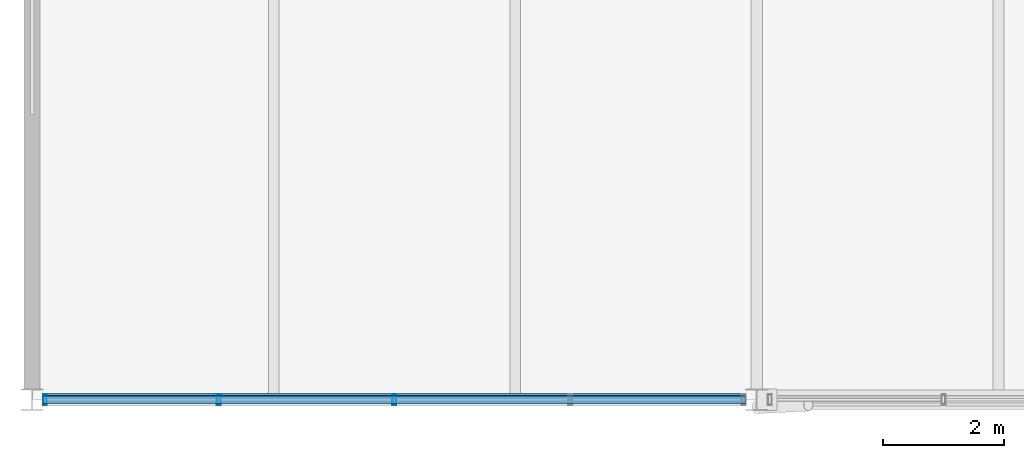
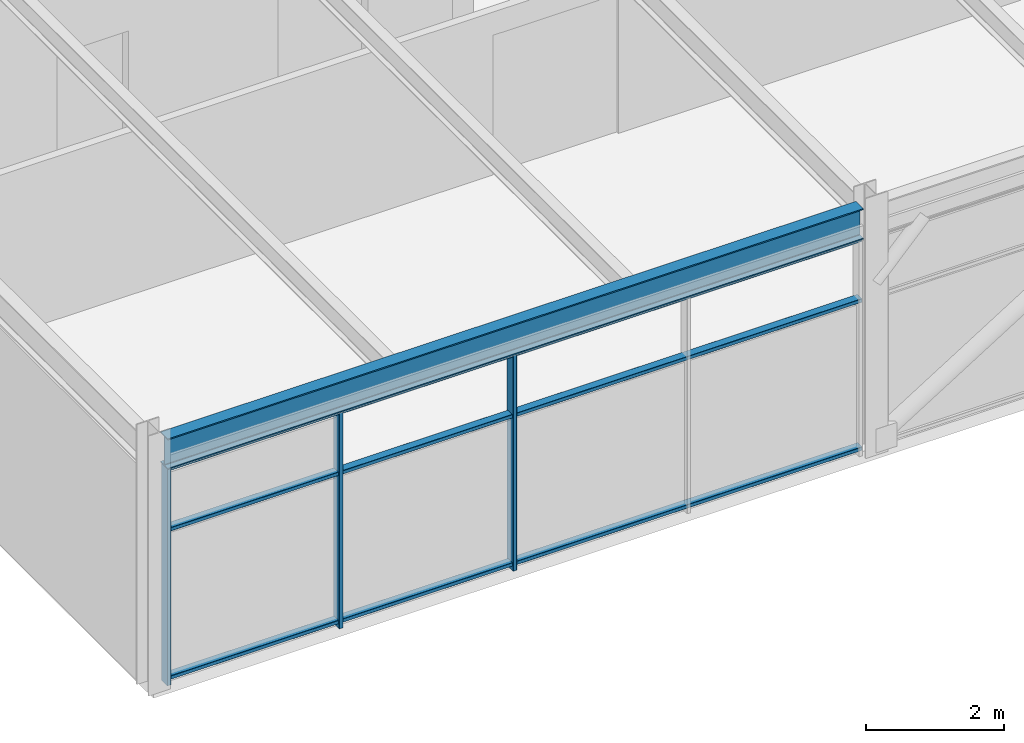
# One storey, part 3 of 28: 6 members, 1 beam, 1 element without a shape of its own.
"""IFC4 building model written with IfcOpenShell, lengths in metres."""

from ifc_helpers import new_model, si_unit, direction, frame, origin, origin_2d, place, context, subcontext, project, spatial, hollow_rectangle, i_section, extrude, material, material_profile, profile_set, type_object, element, aggregate, save


model = new_model("IFC4")

# Units and contexts
model_context = context("Model", 3, precision=1e-05, world=origin(), true_north=direction((0.0, 1.0)))
body_context = subcontext(model_context, "Body", "Model", "MODEL_VIEW")
ifc_project = project(units=[si_unit("LENGTHUNIT", "METRE"), si_unit("AREAUNIT", "SQUARE_METRE"), si_unit("VOLUMEUNIT", "CUBIC_METRE"), si_unit("PLANEANGLEUNIT", "RADIAN"), si_unit("MASSUNIT", "GRAM", prefix="KILO")], contexts=[model_context])

# Site, building, storey
site_placement = place(None, origin())
site = spatial("IfcSite", under=ifc_project, at=site_placement, CompositionType="ELEMENT")
building_placement = place(site_placement, origin())
building = spatial("IfcBuilding", under=site, at=building_placement, Name="Girod Span Mobility Hub", CompositionType="ELEMENT")
storey_placement = place(building_placement, frame((0.0, 0.0, 69.60009765625)))
storey = spatial("IfcBuildingStorey", under=building, at=storey_placement, Name="L17", CompositionType="ELEMENT", Elevation=69.60009765625)

# Beam
ifc_material_1 = material(Name="Steel A992 Grade 50", Category="steel")
ifc_material_profile_1 = material_profile(ifc_material_1, i_section(OverallWidth=0.2119140625, OverallDepth=0.5439453125, WebThickness=0.01318359375, FlangeThickness=0.021240234375, FilletRadius=0.014892578125, at=origin_2d()), Name="W21X83")
ifc_profile_set_1 = profile_set([ifc_material_profile_1], Name="Steel A992 Grade 50")
beam_type = type_object("IfcBeamType", Name="BM-STL-W21X83", PredefinedType="SPANDREL", material=ifc_profile_set_1)
beam_placement = place(storey_placement, frame((48.181396484375, 45.0, 4.10791015625), z_axis=(1.0, 0.0, 0.0), x_axis=(0.0, 1.0, 0.0)))
element("IfcBeam", 1, at=beam_placement, inside=storey, type_object=beam_type, Name="Girder 5-6/D L17", PredefinedType="SPANDREL", context=body_context, shape_type="SweptSolid", body=[
    extrude(i_section(OverallWidth=0.2119140625, OverallDepth=0.5439453125, WebThickness=0.01318359375, FlangeThickness=0.021240234375, FilletRadius=0.014892578125, at=origin_2d()), origin(), (0.0, 0.0, 1.0), 11.63720703125),
])

# Curtain wall, members
ifc_material_2 = material(Name="Thermally Broken Anodised Aluminium", Category="aluminium")
curtain_wall_type = type_object("IfcCurtainWallType", Name="CW-1164X384", PredefinedType="USERDEFINED", material=ifc_material_2)
curtain_wall_placement = place(storey_placement, origin())
curtain_wall = element("IfcCurtainWall", 2, at=curtain_wall_placement, inside=storey, type_object=curtain_wall_type, Name="Unitised Curtain Wall CW-L17-S05 L17", ObjectType="UNITISED CURTAIN WALL", PredefinedType="USERDEFINED")
ifc_material_3 = material(Name="Thermally Broken Anodised Aluminium", Category="aluminium")
ifc_material_profile_2 = material_profile(ifc_material_3, hollow_rectangle(XDim=0.179931640625, YDim=0.06494140625, WallThickness=0.00390625, InnerFilletRadius=0.00390625, OuterFilletRadius=0.008056640625, at=origin_2d()), Name="CW-ML-65X180")
ifc_profile_set_2 = profile_set([ifc_material_profile_2], Name="Thermally Broken Anodised Aluminium")
member_type_1 = type_object("IfcMemberType", Name="CWM-ML-2", PredefinedType="MULLION", material=ifc_profile_set_2)
member_1_placement = place(storey_placement, frame((48.214599609375, 45.0, 0.0), z_axis=(0.0, 0.0, 1.0), x_axis=(0.0, 1.0, 0.0)))
member_1 = element("IfcMember", 3, at=member_1_placement, type_object=member_type_1, Name="Curtain Wall Mullion CW-L17-S05-M0", PredefinedType="MULLION", context=body_context, shape_type="SweptSolid", body=[
    extrude(hollow_rectangle(XDim=0.179931640625, YDim=0.06494140625, WallThickness=0.00390625, InnerFilletRadius=0.00390625, OuterFilletRadius=0.008056640625, at=origin_2d()), origin(), (0.0, 0.0, 1.0), 3.8359375),
])
member_2_placement = place(storey_placement, frame((51.09130859375, 45.0, 0.0), z_axis=(0.0, 0.0, 1.0), x_axis=(0.0, 1.0, 0.0)))
member_2 = element("IfcMember", 4, at=member_2_placement, type_object=member_type_1, Name="Curtain Wall Mullion CW-L17-S05-M1", PredefinedType="MULLION", context=body_context, shape_type="SweptSolid", body=[
    extrude(hollow_rectangle(XDim=0.179931640625, YDim=0.06494140625, WallThickness=0.00390625, InnerFilletRadius=0.00390625, OuterFilletRadius=0.008056640625, at=origin_2d()), origin(), (0.0, 0.0, 1.0), 3.8359375),
])
member_3_placement = place(storey_placement, frame((54.0, 45.0, 0.0), z_axis=(0.0, 0.0, 1.0), x_axis=(0.0, 1.0, 0.0)))
member_3 = element("IfcMember", 5, at=member_3_placement, type_object=member_type_1, Name="Curtain Wall Mullion CW-L17-S05-M2", PredefinedType="MULLION", context=body_context, shape_type="SweptSolid", body=[
    extrude(hollow_rectangle(XDim=0.179931640625, YDim=0.06494140625, WallThickness=0.00390625, InnerFilletRadius=0.00390625, OuterFilletRadius=0.008056640625, at=origin_2d()), origin(), (0.0, 0.0, 1.0), 3.8359375),
])
ifc_material_4 = material(Name="Thermally Broken Anodised Aluminium", Category="aluminium")
ifc_material_profile_3 = material_profile(ifc_material_4, hollow_rectangle(XDim=0.135009765625, YDim=0.06494140625, WallThickness=0.00390625, InnerFilletRadius=0.00390625, OuterFilletRadius=0.008056640625, at=origin_2d()), Name="CW-TR-65X135")
ifc_profile_set_3 = profile_set([ifc_material_profile_3], Name="Thermally Broken Anodised Aluminium")
member_type_2 = type_object("IfcMemberType", Name="CWM-TR-2", PredefinedType="USERDEFINED", material=ifc_profile_set_3)
member_4_placement = place(storey_placement, frame((48.1826171875, 45.0, 0.107421875), z_axis=(1.0, 0.0, 0.0), x_axis=(0.0, 1.0, 0.0)))
member_4 = element("IfcMember", 6, at=member_4_placement, type_object=member_type_2, Name="Curtain Wall Transom CW-L17-S05-T1", ObjectType="TRANSOM", PredefinedType="USERDEFINED", context=body_context, shape_type="SweptSolid", body=[
    extrude(hollow_rectangle(XDim=0.135009765625, YDim=0.06494140625, WallThickness=0.00390625, InnerFilletRadius=0.00390625, OuterFilletRadius=0.008056640625, at=origin_2d()), origin(), (0.0, 0.0, 1.0), 11.634765625),
])
member_5_placement = place(storey_placement, frame((48.1826171875, 45.0, 2.729248046875), z_axis=(1.0, 0.0, 0.0), x_axis=(0.0, 1.0, 0.0)))
member_5 = element("IfcMember", 7, at=member_5_placement, type_object=member_type_2, Name="Curtain Wall Transom CW-L17-S05-T2", ObjectType="TRANSOM", PredefinedType="USERDEFINED", context=body_context, shape_type="SweptSolid", body=[
    extrude(hollow_rectangle(XDim=0.135009765625, YDim=0.06494140625, WallThickness=0.00390625, InnerFilletRadius=0.00390625, OuterFilletRadius=0.008056640625, at=origin_2d()), origin(), (0.0, 0.0, 1.0), 11.634765625),
])
member_6_placement = place(storey_placement, frame((48.1826171875, 45.0, 3.803466796875), z_axis=(1.0, 0.0, 0.0), x_axis=(0.0, 1.0, 0.0)))
member_6 = element("IfcMember", 8, at=member_6_placement, type_object=member_type_2, Name="Curtain Wall Transom CW-L17-S05-T3", ObjectType="TRANSOM", PredefinedType="USERDEFINED", context=body_context, shape_type="SweptSolid", body=[
    extrude(hollow_rectangle(XDim=0.135009765625, YDim=0.06494140625, WallThickness=0.00390625, InnerFilletRadius=0.00390625, OuterFilletRadius=0.008056640625, at=origin_2d()), origin(), (0.0, 0.0, 1.0), 11.634765625),
])
aggregate(curtain_wall, [member_1, member_2, member_3, member_4, member_5, member_6])

save(model, "model.ifc")
